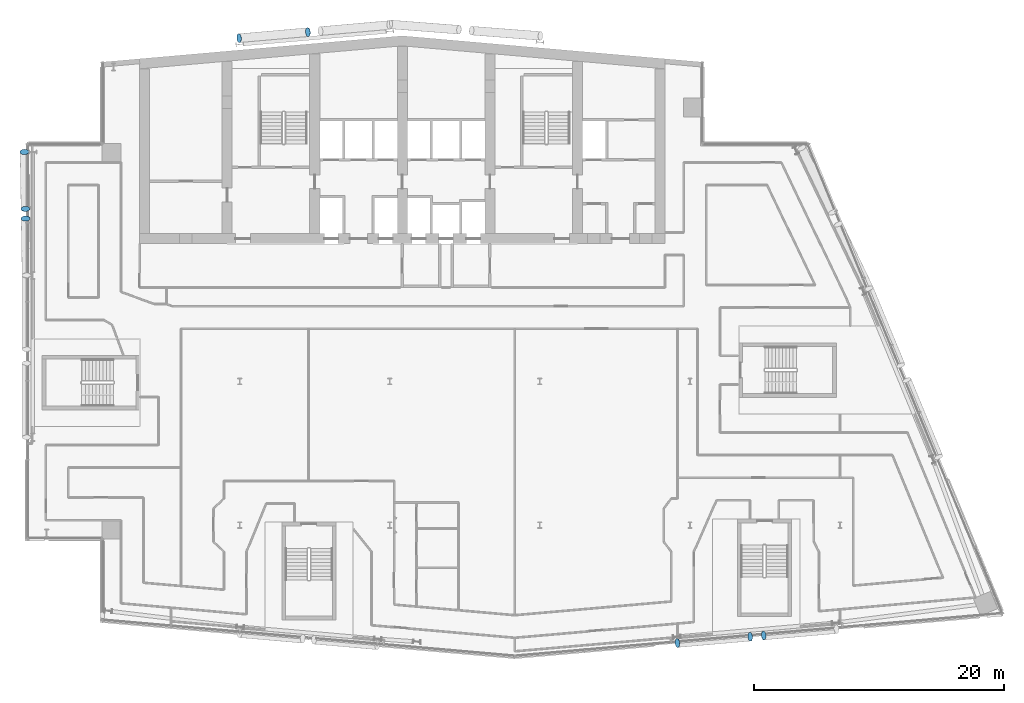
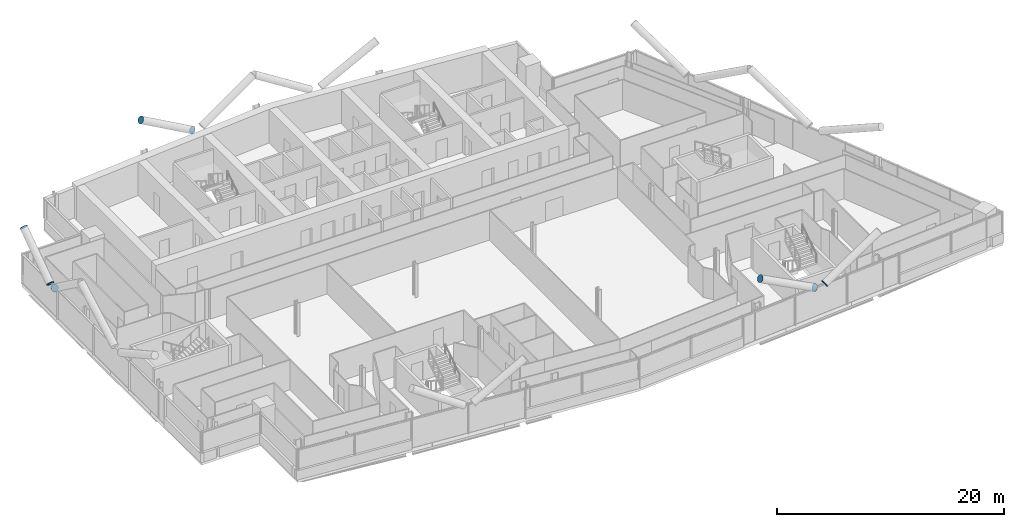
# One storey, part 23 of 28: 8 discrete accessories.
"""IFC4 building model written with IfcOpenShell, lengths in metres."""

from ifc_helpers import new_model, si_unit, direction, frame, origin, origin_2d, place, context, subcontext, project, spatial, circle, extrude, material, material_profile, profile_set, type_object, element, save


model = new_model("IFC4")

# Units and contexts
model_context = context("Model", 3, precision=1e-05, world=origin(), true_north=direction((0.0, 1.0)))
body_context = subcontext(model_context, "Body", "Model", "MODEL_VIEW")
ifc_project = project(units=[si_unit("LENGTHUNIT", "METRE"), si_unit("AREAUNIT", "SQUARE_METRE"), si_unit("VOLUMEUNIT", "CUBIC_METRE"), si_unit("PLANEANGLEUNIT", "RADIAN"), si_unit("MASSUNIT", "GRAM", prefix="KILO")], contexts=[model_context])

# Site, building, storey
site_placement = place(None, origin())
site = spatial("IfcSite", under=ifc_project, at=site_placement, CompositionType="ELEMENT")
building_placement = place(site_placement, origin())
building = spatial("IfcBuilding", under=site, at=building_placement, Name="Wharfspan Tower", CompositionType="ELEMENT")
storey_placement = place(building_placement, frame((0.0, 0.0, 187.899902)))
storey = spatial("IfcBuildingStorey", under=building, at=storey_placement, Name="L46", CompositionType="ELEMENT", Elevation=187.899902)

# Discrete accessories
ifc_material = material(Name="Steel S460NH", Category="steel")
ifc_material_profile = material_profile(ifc_material, circle(Radius=0.355469, at=origin_2d()))
ifc_profile_set = profile_set([ifc_material_profile], Name="Steel S460NH")
discrete_accessory_type = type_object("IfcDiscreteAccessoryType", Name="End plate CHS 711x36", PredefinedType="BRACKET", material=ifc_profile_set)
for number, where, z_axis, x_axis, name in (
    (1, (65.88916, 2.672852, 3.202637), (0.86155, 0.071796, 0.502571), (-0.083046, 0.99655, 0.0), "End plate CHS 711x36"),
    (2, (64.821533, 2.579346, 3.202637), (-0.86155, -0.071796, 0.502571), (0.083046, -0.99655, 0.0), "End plate CHS 711x36"),
    (3, (59.004883, 2.070557, 6.5), (-0.86155, -0.071796, 0.502571), (0.083046, -0.99655, 0.0), "End plate CHS 711x36"),
):
    element("IfcDiscreteAccessory", number, at=place(storey_placement, frame(where, z_axis=z_axis, x_axis=x_axis)), inside=storey, type_object=discrete_accessory_type, Name=name, PredefinedType="BRACKET", context=body_context, shape_type="SweptSolid", body=[
        extrude(circle(Radius=0.355469, at=origin_2d()), origin(), (0.0, 0.0, 1.0), 0.010254),
    ])
discrete_accessory_1_placement = place(storey_placement, frame((6.872559, 36.01709, 3.179443), z_axis=(0.0245, -0.808493, 0.587995), x_axis=(0.999537, 0.03029, 1e-06)))
element("IfcDiscreteAccessory", 4, at=discrete_accessory_1_placement, inside=storey, type_object=discrete_accessory_type, Name="End plate CHS 711x36", PredefinedType="BRACKET", context=body_context, shape_type="SweptSolid", body=[
    extrude(circle(Radius=0.355469, at=origin_2d()), origin(), (0.0, 0.0, 1.0), 0.01001),
])
discrete_accessory_2_placement = place(storey_placement, frame((6.860352, 36.782471, 3.179443), z_axis=(0.0, 0.816968, 0.576683), x_axis=(-1.0, 0.0, 0.0)))
element("IfcDiscreteAccessory", 5, at=discrete_accessory_2_placement, inside=storey, type_object=discrete_accessory_type, Name="End plate CHS 711x36", PredefinedType="BRACKET", context=body_context, shape_type="SweptSolid", body=[
    extrude(circle(Radius=0.355469, at=origin_2d()), origin(), (0.0, 0.0, 1.0), 0.010254),
])
for number, where, z_axis, x_axis, name in (
    (6, (6.788086, 41.333008, 6.5), (-0.024147, 0.79686, 0.603682), (-0.99954, -0.030288, -1e-06), "End plate CHS 711x36"),
    (7, (29.459473, 50.919434, 3.197998), (-0.844416, -0.072379, 0.530776), (0.085402, -0.99635, 0.0), "End plate CHS 711x36"),
    (8, (23.956299, 50.437988, 6.5), (-0.855186, -0.073302, 0.513112), (0.085402, -0.996345, 1e-06), "End plate CHS 711x36"),
):
    element("IfcDiscreteAccessory", number, at=place(storey_placement, frame(where, z_axis=z_axis, x_axis=x_axis)), inside=storey, type_object=discrete_accessory_type, Name=name, PredefinedType="BRACKET", context=body_context, shape_type="SweptSolid", body=[
        extrude(circle(Radius=0.355469, at=origin_2d()), origin(), (0.0, 0.0, 1.0), 0.01001),
    ])

save(model, "model.ifc")
